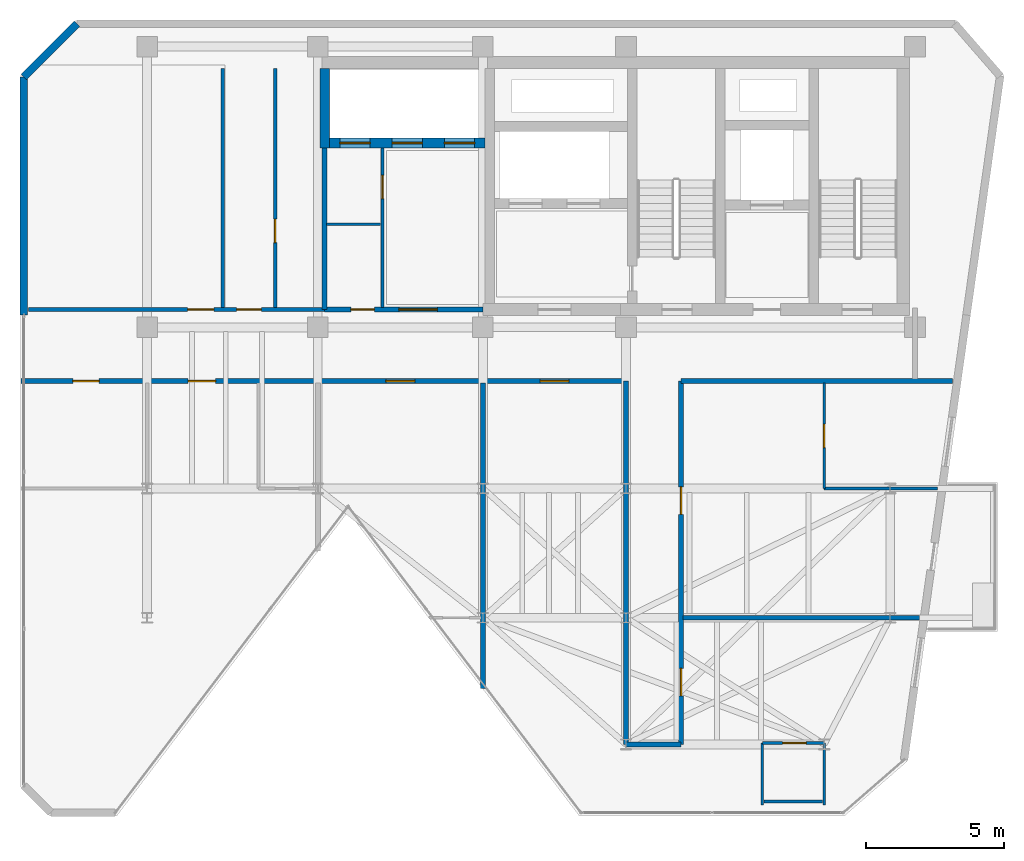
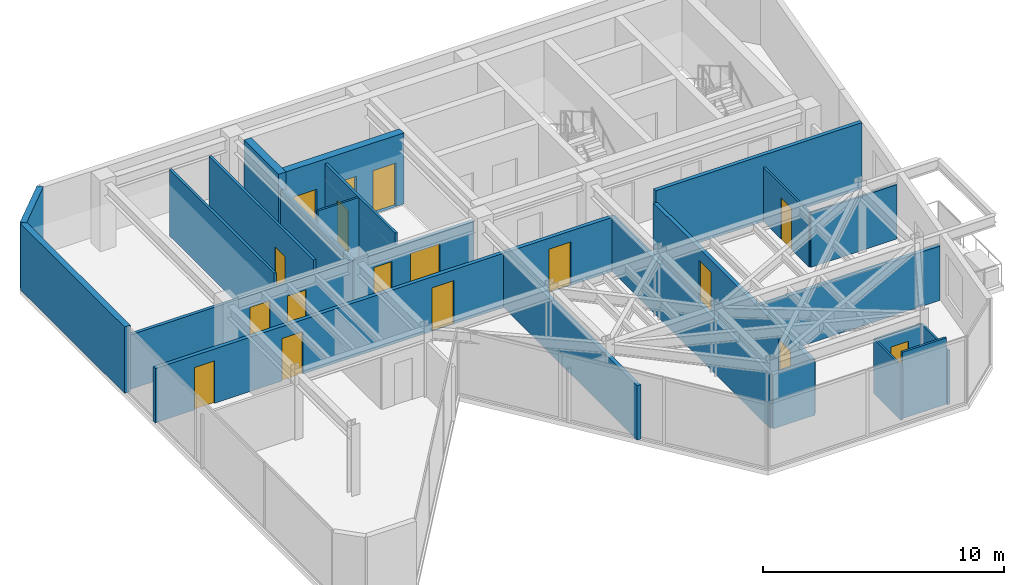
# One storey, part 13 of 16: 24 walls, 17 doors, 17 openings.
"""IFC4 building model written with IfcOpenShell, lengths in metres."""

from ifc_helpers import new_model, si_unit, direction, frame, frame_2d, origin, place, context, subcontext, project, spatial, rectangle, extrude, material, layer, layer_set, type_object, element, fill, save


model = new_model("IFC4")

# Units and contexts
model_context = context("Model", 3, precision=1e-05, world=origin(), true_north=direction((0.0, 1.0)))
body_context = subcontext(model_context, "Body", "Model", "MODEL_VIEW")
ifc_project = project(units=[si_unit("LENGTHUNIT", "METRE"), si_unit("AREAUNIT", "SQUARE_METRE"), si_unit("VOLUMEUNIT", "CUBIC_METRE"), si_unit("PLANEANGLEUNIT", "RADIAN"), si_unit("MASSUNIT", "GRAM", prefix="KILO")], contexts=[model_context])

# Site, building, storey
site_placement = place(None, origin())
site = spatial("IfcSite", under=ifc_project, at=site_placement, CompositionType="ELEMENT")
building_placement = place(site_placement, origin())
building = spatial("IfcBuilding", under=site, at=building_placement, Name="Kravanh Interchange Tower", CompositionType="ELEMENT")
storey_placement = place(building_placement, frame((0.0, 0.0, 300.300048828125)))
storey = spatial("IfcBuildingStorey", under=building, at=storey_placement, Name="L74", CompositionType="ELEMENT", Elevation=300.300048828125)

# Wall, opening, door
ifc_material_1 = material(Name="Double Acoustic Gypsum Board and Mineral Wool")
ifc_layer_1 = layer(ifc_material_1, 0.1201171875)
ifc_layer_set_1 = layer_set([ifc_layer_1], Name="Acoustic Office Drywall Partition 120mm")
wall_type_1 = type_object("IfcWallType", Name="Acoustic Office Drywall Partition 120mm", PredefinedType="PARTITIONING", material=ifc_layer_set_1)
wall_1_placement = place(storey_placement, frame((47.14990234375, 38.068115234375, 0.0), z_axis=(0.0, 0.0, 1.0), x_axis=(0.0, 1.0, 0.0)))
wall_1 = element("IfcWall", 1, at=wall_1_placement, inside=storey, type_object=wall_type_1, Name="L74 Interior Partition 2", PredefinedType="PARTITIONING", context=body_context, shape_type="SweptSolid", body=[
    extrude(rectangle(XDim=5.798828125, YDim=0.1201171875, at=frame_2d((2.8994140625, 0.0))), origin(), (0.0, 0.0, 1.0), 3.364990234375),
])
opening_1_placement = place(wall_1_placement, frame((3.95703125, 0.0, 0.0)))
opening_1 = element("IfcOpeningElement", 2, at=opening_1_placement, cuts=wall_1, Name="Opening D-85", PredefinedType="OPENING", context=body_context, shape_type="SweptSolid", body=[
    extrude(rectangle(XDim=0.85009765625, YDim=2.10009765625, at=frame_2d((0.425048828125, 1.050048828125))), frame((0.0, 0.070068359375, 0.0), z_axis=(0.0, -1.0, 0.0), x_axis=(1.0, 0.0, 0.0)), (0.0, 0.0, 1.0), 0.14013671875),
])
ifc_material_2 = material(Name="Engineered Teak Veneer Timber", Category="wood")
door_type_1 = type_object("IfcDoorType", Name="En-Suite Timber Door 850x2100", OperationType="NOTDEFINED", PredefinedType="DOOR", material=ifc_material_2)
door_1_placement = place(opening_1_placement, origin())
door_1 = element("IfcDoor", 3, at=door_1_placement, inside=storey, type_object=door_type_1, Name="L74 Core Valet Store Door", OperationType="SINGLE_SWING_RIGHT", OverallHeight=2.10009765625, OverallWidth=0.85009765625, PredefinedType="DOOR", context=body_context, shape_type="SweptSolid", body=[
    extrude(rectangle(XDim=0.85009765625, YDim=2.10009765625, at=frame_2d((0.425048828125, 1.050048828125))), frame((0.0, 0.02490234375, 0.0), z_axis=(0.0, -1.0, 0.0), x_axis=(1.0, 0.0, 0.0)), (0.0, 0.0, 1.0), 0.050048828125),
])
fill(opening_1, door_1)

# Wall
wall_2_placement = place(storey_placement, frame((41.35009765625, 38.068115234375, 0.0), z_axis=(0.0, 0.0, 1.0), x_axis=(0.0, 1.0, 0.0)))
element("IfcWall", 4, at=wall_2_placement, inside=storey, type_object=wall_type_1, Name="L74 Interior Partition 7", PredefinedType="PARTITIONING", context=body_context, shape_type="SweptSolid", body=[
    extrude(rectangle(XDim=8.681884765625, YDim=0.1201171875, at=frame_2d((4.3408203125, 0.0))), origin(), (0.0, 0.0, 1.0), 3.364990234375),
])

# Wall, opening, door
wall_3_placement = place(storey_placement, frame((43.25, 38.068115234375, 0.0), z_axis=(0.0, 0.0, 1.0), x_axis=(0.0, 1.0, 0.0)))
wall_3 = element("IfcWall", 5, at=wall_3_placement, inside=storey, type_object=wall_type_1, Name="L74 Interior Partition 8", PredefinedType="PARTITIONING", context=body_context, shape_type="SweptSolid", body=[
    extrude(rectangle(XDim=8.681884765625, YDim=0.1201171875, at=frame_2d((4.3408203125, 0.0))), origin(), (0.0, 0.0, 1.0), 3.364990234375),
])
opening_2_placement = place(wall_3_placement, frame((2.365966796875, 0.0, 0.0)))
opening_2 = element("IfcOpeningElement", 6, at=opening_2_placement, cuts=wall_3, Name="Opening D-85", PredefinedType="OPENING", context=body_context, shape_type="SweptSolid", body=[
    extrude(rectangle(XDim=0.85009765625, YDim=2.10009765625, at=frame_2d((0.425048828125, 1.050048828125))), frame((0.0, 0.070068359375, 0.0), z_axis=(0.0, -1.0, 0.0), x_axis=(1.0, 0.0, 0.0)), (0.0, 0.0, 1.0), 0.14013671875),
])
door_2_placement = place(opening_2_placement, origin())
door_2 = element("IfcDoor", 7, at=door_2_placement, inside=storey, type_object=door_type_1, Name="L74 Pantry Store Inner Door", OperationType="SINGLE_SWING_LEFT", OverallHeight=2.10009765625, OverallWidth=0.85009765625, PredefinedType="DOOR", context=body_context, shape_type="SweptSolid", body=[
    extrude(rectangle(XDim=0.85009765625, YDim=2.10009765625, at=frame_2d((0.425048828125, 1.050048828125))), frame((0.0, 0.02490234375, 0.0), z_axis=(0.0, -1.0, 0.0), x_axis=(1.0, 0.0, 0.0)), (0.0, 0.0, 1.0), 0.050048828125),
])
fill(opening_2, door_2)

# Wall, openings, doors
ifc_material_3 = material(Name="Concrete C60/75", Category="concrete")
ifc_layer_2 = layer(ifc_material_3, 0.35009765625)
ifc_layer_set_2 = layer_set([ifc_layer_2], Name="Core Shear Wall Concrete C60/75 350mm")
wall_type_2 = type_object("IfcWallType", Name="Core Shear Wall Concrete C60/75 350mm", PredefinedType="SHEAR", material=ifc_layer_set_2)
wall_4_placement = place(storey_placement, frame((45.22509765625, 44.050048828125, 0.0), z_axis=(0.0, 0.0, 1.0), x_axis=(1.0, 0.0, 0.0)))
wall_4 = element("IfcWall", 8, at=wall_4_placement, inside=storey, type_object=wall_type_2, Name="L74 High-Rise Lift Shaft South Wall", PredefinedType="SHEAR", context=body_context, shape_type="SweptSolid", body=[
    extrude(rectangle(XDim=5.64990234375, YDim=0.35009765625, at=frame_2d((2.824951171875, 0.0))), origin(), (0.0, 0.0, 1.0), 3.599853515625),
])
opening_3_placement = place(wall_4_placement, frame((0.375, 0.0, 0.0)))
opening_3 = element("IfcOpeningElement", 9, at=opening_3_placement, cuts=wall_4, Name="Opening LD01", PredefinedType="OPENING", context=body_context, shape_type="SweptSolid", body=[
    extrude(rectangle(XDim=1.10009765625, YDim=2.199951171875, at=frame_2d((0.550048828125, 1.10009765625))), frame((0.0, 0.18505859375, 0.0), z_axis=(0.0, -1.0, 0.0), x_axis=(1.0, 0.0, 0.0)), (0.0, 0.0, 1.0), 0.3701171875),
])
opening_4_placement = place(wall_4_placement, frame((2.27490234375, 0.0, 0.0)))
opening_4 = element("IfcOpeningElement", 10, at=opening_4_placement, cuts=wall_4, Name="Opening LD01", PredefinedType="OPENING", context=body_context, shape_type="SweptSolid", body=[
    extrude(rectangle(XDim=1.10009765625, YDim=2.199951171875, at=frame_2d((0.550048828125, 1.10009765625))), frame((0.0, 0.18505859375, 0.0), z_axis=(0.0, -1.0, 0.0), x_axis=(1.0, 0.0, 0.0)), (0.0, 0.0, 1.0), 0.3701171875),
])
opening_5_placement = place(wall_4_placement, frame((4.175048828125, 0.0, 0.0)))
opening_5 = element("IfcOpeningElement", 11, at=opening_5_placement, cuts=wall_4, Name="Opening LD01", PredefinedType="OPENING", context=body_context, shape_type="SweptSolid", body=[
    extrude(rectangle(XDim=1.10009765625, YDim=2.199951171875, at=frame_2d((0.550048828125, 1.10009765625))), frame((0.0, 0.18505859375, 0.0), z_axis=(0.0, -1.0, 0.0), x_axis=(1.0, 0.0, 0.0)), (0.0, 0.0, 1.0), 0.3701171875),
])
ifc_material_4 = material(Name="Stainless Steel 304", Category="steel")
door_type_2 = type_object("IfcDoorType", Name="Passenger Lift Sliding Landing Door 1100x2200", OperationType="DOUBLE_DOOR_SLIDING", PredefinedType="DOOR", material=ifc_material_4)
door_3_placement = place(opening_3_placement, origin())
door_3 = element("IfcDoor", 12, at=door_3_placement, inside=storey, type_object=door_type_2, Name="L74 Lift LP-H1 Landing Door", OperationType="DOUBLE_DOOR_SLIDING", OverallHeight=2.199951171875, OverallWidth=1.10009765625, PredefinedType="DOOR", context=body_context, shape_type="SweptSolid", body=[
    extrude(rectangle(XDim=1.10009765625, YDim=2.199951171875, at=frame_2d((0.550048828125, 1.10009765625))), frame((0.0, 0.02490234375, 0.0), z_axis=(0.0, -1.0, 0.0), x_axis=(1.0, 0.0, 0.0)), (0.0, 0.0, 1.0), 0.050048828125),
])
fill(opening_3, door_3)
door_4_placement = place(opening_4_placement, origin())
door_4 = element("IfcDoor", 13, at=door_4_placement, inside=storey, type_object=door_type_2, Name="L74 Lift LP-H2 Landing Door", OperationType="DOUBLE_DOOR_SLIDING", OverallHeight=2.199951171875, OverallWidth=1.10009765625, PredefinedType="DOOR", context=body_context, shape_type="SweptSolid", body=[
    extrude(rectangle(XDim=1.10009765625, YDim=2.199951171875, at=frame_2d((0.550048828125, 1.10009765625))), frame((0.0, 0.02490234375, 0.0), z_axis=(0.0, -1.0, 0.0), x_axis=(1.0, 0.0, 0.0)), (0.0, 0.0, 1.0), 0.050048828125),
])
fill(opening_4, door_4)
door_5_placement = place(opening_5_placement, origin())
door_5 = element("IfcDoor", 14, at=door_5_placement, inside=storey, type_object=door_type_2, Name="L74 Lift LP-H3 Landing Door", OperationType="DOUBLE_DOOR_SLIDING", OverallHeight=2.199951171875, OverallWidth=1.10009765625, PredefinedType="DOOR", context=body_context, shape_type="SweptSolid", body=[
    extrude(rectangle(XDim=1.10009765625, YDim=2.199951171875, at=frame_2d((0.550048828125, 1.10009765625))), frame((0.0, 0.02490234375, 0.0), z_axis=(0.0, -1.0, 0.0), x_axis=(1.0, 0.0, 0.0)), (0.0, 0.0, 1.0), 0.050048828125),
])
fill(opening_5, door_5)

# Walls
wall_5_placement = place(storey_placement, frame((45.050048828125, 43.875, 0.0), z_axis=(0.0, 0.0, 1.0), x_axis=(0.0, 1.0, 0.0)))
element("IfcWall", 15, at=wall_5_placement, inside=storey, type_object=wall_type_2, Name="L74 High-Rise Lift Shaft West Wall", PredefinedType="SHEAR", context=body_context, shape_type="SweptSolid", body=[
    extrude(rectangle(XDim=2.875, YDim=0.35009765625, at=frame_2d((1.4375, 0.0))), origin(), (0.0, 0.0, 1.0), 3.599853515625),
])
ifc_material_5 = material(Name="Moisture-Resistant Gypsum Board and Mineral Wool")
ifc_layer_3 = layer(ifc_material_5, 0.10009765625)
ifc_layer_set_3 = layer_set([ifc_layer_3], Name="En-Suite Moisture-Resistant Partition 100mm")
wall_type_3 = type_object("IfcWallType", Name="En-Suite Moisture-Resistant Partition 100mm", PredefinedType="PARTITIONING", material=ifc_layer_set_3)
wall_6_placement = place(storey_placement, frame((45.117919921875, 41.10009765625, 0.0), z_axis=(0.0, 0.0, 1.0), x_axis=(1.0, 0.0, 0.0)))
element("IfcWall", 16, at=wall_6_placement, inside=storey, type_object=wall_type_3, Name="L74 Interior Partition 3", PredefinedType="PARTITIONING", context=body_context, shape_type="SweptSolid", body=[
    extrude(rectangle(XDim=1.964111328125, YDim=0.10009765625, at=frame_2d((0.98193359375, 0.0))), origin(), (0.0, 0.0, 1.0), 3.364990234375),
])

# Wall, opening, door
wall_7_placement = place(storey_placement, frame((60.949951171875, 22.25, 0.0), z_axis=(0.0, 0.0, 1.0), x_axis=(1.0, 0.0, 0.0)))
wall_7 = element("IfcWall", 17, at=wall_7_placement, inside=storey, type_object=wall_type_3, Name="L74 Interior Partition 18", PredefinedType="PARTITIONING", context=body_context, shape_type="SweptSolid", body=[
    extrude(rectangle(XDim=2.25, YDim=0.10009765625, at=frame_2d((1.125, 0.0))), origin(), (0.0, 0.0, 1.0), 2.75390625),
])
opening_6_placement = place(wall_7_placement, frame((0.741455078125, 0.0, 0.0)))
opening_6 = element("IfcOpeningElement", 18, at=opening_6_placement, cuts=wall_7, Name="Opening D-85", PredefinedType="OPENING", context=body_context, shape_type="SweptSolid", body=[
    extrude(rectangle(XDim=0.85009765625, YDim=2.10009765625, at=frame_2d((0.425048828125, 1.050048828125))), frame((0.0, 0.06005859375, 0.0), z_axis=(0.0, -1.0, 0.0), x_axis=(1.0, 0.0, 0.0)), (0.0, 0.0, 1.0), 0.1201171875),
])
door_6_placement = place(opening_6_placement, origin())
door_6 = element("IfcDoor", 19, at=door_6_placement, inside=storey, type_object=door_type_1, Name="L74 En-suite Bathroom Door", OperationType="SINGLE_SWING_RIGHT", OverallHeight=2.10009765625, OverallWidth=0.85009765625, PredefinedType="DOOR", context=body_context, shape_type="SweptSolid", body=[
    extrude(rectangle(XDim=0.85009765625, YDim=2.10009765625, at=frame_2d((0.425048828125, 1.050048828125))), frame((0.0, 0.02490234375, 0.0), z_axis=(0.0, -1.0, 0.0), x_axis=(1.0, 0.0, 0.0)), (0.0, 0.0, 1.0), 0.050048828125),
])
fill(opening_6, door_6)

# Walls
for number, where, z_axis, x_axis, name in (
    (20, (60.949951171875, 20.0, 0.0), (0.0, 0.0, 1.0), (0.0, 1.0, 0.0), "L74 Interior Partition 19"),
    (21, (63.199951171875, 20.0, 0.0), (0.0, 0.0, 1.0), (0.0, 1.0, 0.0), "L74 Interior Partition 20"),
):
    element("IfcWall", number, at=place(storey_placement, frame(where, z_axis=z_axis, x_axis=x_axis)), inside=storey, type_object=wall_type_3, Name=name, PredefinedType="PARTITIONING", context=body_context, shape_type="SweptSolid", body=[
        extrude(rectangle(XDim=2.25, YDim=0.10009765625, at=frame_2d((1.125, 0.0))), origin(), (0.0, 0.0, 1.0), 2.75390625),
    ])
wall_8_placement = place(storey_placement, frame((61.01806640625, 20.1201171875, 0.0), z_axis=(0.0, 0.0, 1.0), x_axis=(1.0, 0.0, 0.0)))
element("IfcWall", 22, at=wall_8_placement, inside=storey, type_object=wall_type_3, Name="L74 Interior Partition 21", PredefinedType="PARTITIONING", context=body_context, shape_type="SweptSolid", body=[
    extrude(rectangle(XDim=2.114013671875, YDim=0.10009765625, at=frame_2d((1.05712890625, 0.0))), origin(), (0.0, 0.0, 1.0), 3.364990234375),
])
wall_9_placement = place(storey_placement, frame((63.199951171875, 31.5, 0.0), z_axis=(0.0, 0.0, 1.0), x_axis=(1.0, 0.0, 0.0)))
element("IfcWall", 23, at=wall_9_placement, inside=storey, type_object=wall_type_3, Name="L74 Interior Partition 22", PredefinedType="PARTITIONING", context=body_context, shape_type="SweptSolid", body=[
    extrude(rectangle(XDim=4.123046875, YDim=0.10009765625, at=frame_2d((2.0615234375, 0.0))), origin(), (0.0, 0.0, 1.0), 2.75390625),
])

# Wall, opening, door
wall_10_placement = place(storey_placement, frame((63.199951171875, 31.5, 0.0), z_axis=(0.0, 0.0, 1.0), x_axis=(0.0, 1.0, 0.0)))
wall_10 = element("IfcWall", 24, at=wall_10_placement, inside=storey, type_object=wall_type_3, Name="L74 Interior Partition 23", PredefinedType="PARTITIONING", context=body_context, shape_type="SweptSolid", body=[
    extrude(rectangle(XDim=3.83203125, YDim=0.10009765625, at=frame_2d((1.916015625, 0.0))), origin(), (0.0, 0.0, 1.0), 2.75390625),
])
opening_7_placement = place(wall_10_placement, frame((1.48486328125, 0.0, 0.0)))
opening_7 = element("IfcOpeningElement", 25, at=opening_7_placement, cuts=wall_10, Name="Opening D-85", PredefinedType="OPENING", context=body_context, shape_type="SweptSolid", body=[
    extrude(rectangle(XDim=0.85009765625, YDim=2.10009765625, at=frame_2d((0.425048828125, 1.050048828125))), frame((0.0, 0.06005859375, 0.0), z_axis=(0.0, -1.0, 0.0), x_axis=(1.0, 0.0, 0.0)), (0.0, 0.0, 1.0), 0.1201171875),
])
door_7_placement = place(opening_7_placement, origin())
door_7 = element("IfcDoor", 26, at=door_7_placement, inside=storey, type_object=door_type_1, Name="L74 En-suite Bathroom Door", OperationType="SINGLE_SWING_RIGHT", OverallHeight=2.10009765625, OverallWidth=0.85009765625, PredefinedType="DOOR", context=body_context, shape_type="SweptSolid", body=[
    extrude(rectangle(XDim=0.85009765625, YDim=2.10009765625, at=frame_2d((0.425048828125, 1.050048828125))), frame((0.0, 0.02490234375, 0.0), z_axis=(0.0, -1.0, 0.0), x_axis=(1.0, 0.0, 0.0)), (0.0, 0.0, 1.0), 0.050048828125),
])
fill(opening_7, door_7)

# Walls
ifc_material_6 = material(Name="Insulated Precast Concrete C40/50 with Bronze Cladding", Category="concrete")
ifc_layer_4 = layer(ifc_material_6, 0.280029296875)
ifc_layer_set_4 = layer_set([ifc_layer_4], Name="Exterior Insulated Concrete C40/50 Bronze Spandrel Wall 280mm")
wall_type_4 = type_object("IfcWallType", Name="Exterior Insulated Concrete C40/50 Bronze Spandrel Wall 280mm", PredefinedType="STANDARD", material=ifc_layer_set_4)
wall_11_placement = place(storey_placement, frame((34.1201171875, 37.800048828125, 0.0), z_axis=(0.0, 0.0, 1.0), x_axis=(0.0, 1.0, 0.0)))
element("IfcWall", 27, at=wall_11_placement, inside=storey, type_object=wall_type_4, Name="L74 Exterior Wall 1", PredefinedType="STANDARD", context=body_context, shape_type="SweptSolid", body=[
    extrude(rectangle(XDim=8.650146484375, YDim=0.280029296875, at=frame_2d((4.3251953125, 0.0))), origin(), (0.0, 0.0, 1.0), 3.364990234375),
])
wall_12_placement = place(storey_placement, frame((34.1201171875, 46.4501953125, 0.0), z_axis=(0.0, 0.0, 1.0), x_axis=(0.707106781187, 0.707106781187, 0.0)))
element("IfcWall", 28, at=wall_12_placement, inside=storey, type_object=wall_type_4, Name="L74 Exterior Wall 2", PredefinedType="STANDARD", context=body_context, shape_type="SweptSolid", body=[
    extrude(rectangle(XDim=2.72900390625, YDim=0.280029296875, at=frame_2d((1.364501953125, 0.0))), origin(), (0.0, 0.0, 1.0), 3.364990234375),
])

# Wall, openings, doors
ifc_material_7 = material(Name="Autoclaved Aerated Concrete C30/37 Blockwork", Category="masonry")
ifc_layer_5 = layer(ifc_material_7, 0.179931640625)
ifc_layer_set_5 = layer_set([ifc_layer_5], Name="Fire-Rated Lobby and Corridor Wall Concrete C30/37 180mm")
wall_type_5 = type_object("IfcWallType", Name="Fire-Rated Lobby and Corridor Wall Concrete C30/37 180mm", PredefinedType="STANDARD", material=ifc_layer_set_5)
wall_13_placement = place(storey_placement, frame((45.050048828125, 38.0, 0.0), z_axis=(0.0, 0.0, 1.0), x_axis=(1.0, 0.0, 0.0)))
wall_13 = element("IfcWall", 29, at=wall_13_placement, inside=storey, type_object=wall_type_5, Name="L74 High-Rise Lift Lobby Wall 1", PredefinedType="STANDARD", context=body_context, shape_type="SweptSolid", body=[
    extrude(rectangle(XDim=5.75, YDim=0.179931640625, at=frame_2d((2.875, 0.0))), origin(), (0.0, 0.0, 1.0), 2.75390625),
])
opening_8_placement = place(wall_13_placement, frame((0.9541015625, 0.0, 0.0)))
opening_8 = element("IfcOpeningElement", 30, at=opening_8_placement, cuts=wall_13, Name="Opening D-85", PredefinedType="OPENING", context=body_context, shape_type="SweptSolid", body=[
    extrude(rectangle(XDim=0.85009765625, YDim=2.10009765625, at=frame_2d((0.425048828125, 1.050048828125))), frame((0.0, 0.10009765625, 0.0), z_axis=(0.0, -1.0, 0.0), x_axis=(1.0, 0.0, 0.0)), (0.0, 0.0, 1.0), 0.199951171875),
])
opening_9_placement = place(wall_13_placement, frame((2.699951171875, 0.0, 0.0)))
opening_9 = element("IfcOpeningElement", 31, at=opening_9_placement, cuts=wall_13, Name="Opening DBL-140", PredefinedType="OPENING", context=body_context, shape_type="SweptSolid", body=[
    extrude(rectangle(XDim=1.39990234375, YDim=2.199951171875, at=frame_2d((0.699951171875, 1.10009765625))), frame((0.0, 0.10009765625, 0.0), z_axis=(0.0, -1.0, 0.0), x_axis=(1.0, 0.0, 0.0)), (0.0, 0.0, 1.0), 0.199951171875),
])
door_8_placement = place(opening_8_placement, origin())
door_8 = element("IfcDoor", 32, at=door_8_placement, inside=storey, type_object=door_type_1, Name="L74 Core Housekeeping Utility Door", OperationType="SINGLE_SWING_LEFT", OverallHeight=2.10009765625, OverallWidth=0.85009765625, PredefinedType="DOOR", context=body_context, shape_type="SweptSolid", body=[
    extrude(rectangle(XDim=0.85009765625, YDim=2.10009765625, at=frame_2d((0.425048828125, 1.050048828125))), frame((0.0, 0.02490234375, 0.0), z_axis=(0.0, -1.0, 0.0), x_axis=(1.0, 0.0, 0.0)), (0.0, 0.0, 1.0), 0.050048828125),
])
fill(opening_8, door_8)
ifc_material_8 = material(Name="Acoustic Bronze-Framed Glass", Category="glass")
door_type_3 = type_object("IfcDoorType", Name="Hospitality Lounge Double Door 1400x2200", OperationType="DOUBLE_DOOR_SINGLE_SWING", PredefinedType="DOOR", material=ifc_material_8)
door_9_placement = place(opening_9_placement, origin())
door_9 = element("IfcDoor", 33, at=door_9_placement, inside=storey, type_object=door_type_3, Name="L74 High-Rise Lift Lobby Door", OperationType="DOUBLE_DOOR_SINGLE_SWING", OverallHeight=2.199951171875, OverallWidth=1.39990234375, PredefinedType="DOOR", context=body_context, shape_type="SweptSolid", body=[
    extrude(rectangle(XDim=1.39990234375, YDim=2.199951171875, at=frame_2d((0.699951171875, 1.10009765625))), frame((0.0, 0.02490234375, 0.0), z_axis=(0.0, -1.0, 0.0), x_axis=(1.0, 0.0, 0.0)), (0.0, 0.0, 1.0), 0.050048828125),
])
fill(opening_9, door_9)

# Wall
wall_14_placement = place(storey_placement, frame((45.050048828125, 38.0, 0.0), z_axis=(0.0, 0.0, 1.0), x_axis=(0.0, 1.0, 0.0)))
element("IfcWall", 34, at=wall_14_placement, inside=storey, type_object=wall_type_5, Name="L74 Interior Partition 4", PredefinedType="STANDARD", context=body_context, shape_type="SweptSolid", body=[
    extrude(rectangle(XDim=5.875, YDim=0.179931640625, at=frame_2d((2.9375, 0.0))), origin(), (0.0, 0.0, 1.0), 2.75390625),
])

# Wall, openings, doors
wall_15_placement = place(storey_placement, frame((34.014892578125, 35.39990234375, 0.0), z_axis=(0.0, 0.0, 1.0), x_axis=(1.0, 0.0, 0.0)))
wall_15 = element("IfcWall", 35, at=wall_15_placement, inside=storey, type_object=wall_type_5, Name="L74 Interior Partition 9", PredefinedType="STANDARD", context=body_context, shape_type="SweptSolid", body=[
    extrude(rectangle(XDim=21.985107421875, YDim=0.179931640625, at=frame_2d((10.99267578125, 0.0))), origin(), (0.0, 0.0, 1.0), 2.75390625),
])
opening_10_placement = place(wall_15_placement, frame((1.889892578125, 0.0, 0.0)))
opening_10 = element("IfcOpeningElement", 36, at=opening_10_placement, cuts=wall_15, Name="Opening D-95", PredefinedType="OPENING", context=body_context, shape_type="SweptSolid", body=[
    extrude(rectangle(XDim=0.949951171875, YDim=2.14990234375, at=frame_2d((0.47509765625, 1.074951171875))), frame((0.0, 0.10009765625, 0.0), z_axis=(0.0, -1.0, 0.0), x_axis=(1.0, 0.0, 0.0)), (0.0, 0.0, 1.0), 0.199951171875),
])
opening_11_placement = place(wall_15_placement, frame((6.06982421875, 0.0, 0.0)))
opening_11 = element("IfcOpeningElement", 37, at=opening_11_placement, cuts=wall_15, Name="Opening D-HOTEL-100", PredefinedType="OPENING", context=body_context, shape_type="SweptSolid", body=[
    extrude(rectangle(XDim=1.0, YDim=2.14990234375, at=frame_2d((0.5, 1.074951171875))), frame((0.0, 0.10009765625, 0.0), z_axis=(0.0, -1.0, 0.0), x_axis=(1.0, 0.0, 0.0)), (0.0, 0.0, 1.0), 0.199951171875),
])
opening_12_placement = place(wall_15_placement, frame((13.260009765625, 0.0, 0.0)))
opening_12 = element("IfcOpeningElement", 38, at=opening_12_placement, cuts=wall_15, Name="Opening D-105", PredefinedType="OPENING", context=body_context, shape_type="SweptSolid", body=[
    extrude(rectangle(XDim=1.050048828125, YDim=2.199951171875, at=frame_2d((0.52490234375, 1.10009765625))), frame((0.0, 0.10009765625, 0.0), z_axis=(0.0, -1.0, 0.0), x_axis=(1.0, 0.0, 0.0)), (0.0, 0.0, 1.0), 0.199951171875),
])
opening_13_placement = place(wall_15_placement, frame((18.860107421875, 0.0, 0.0)))
opening_13 = element("IfcOpeningElement", 39, at=opening_13_placement, cuts=wall_15, Name="Opening D-105", PredefinedType="OPENING", context=body_context, shape_type="SweptSolid", body=[
    extrude(rectangle(XDim=1.050048828125, YDim=2.199951171875, at=frame_2d((0.52490234375, 1.10009765625))), frame((0.0, 0.10009765625, 0.0), z_axis=(0.0, -1.0, 0.0), x_axis=(1.0, 0.0, 0.0)), (0.0, 0.0, 1.0), 0.199951171875),
])
ifc_material_9 = material(Name="Laminate Solid-Core Timber", Category="wood")
door_type_4 = type_object("IfcDoorType", Name="Accessible Restroom Door 950x2150", OperationType="NOTDEFINED", PredefinedType="DOOR", material=ifc_material_9)
door_10_placement = place(opening_10_placement, origin())
door_10 = element("IfcDoor", 40, at=door_10_placement, inside=storey, type_object=door_type_4, Name="L74 Accessible WC Door", OperationType="SINGLE_SWING_RIGHT", OverallHeight=2.14990234375, OverallWidth=0.949951171875, PredefinedType="DOOR", context=body_context, shape_type="SweptSolid", body=[
    extrude(rectangle(XDim=0.949951171875, YDim=2.14990234375, at=frame_2d((0.47509765625, 1.074951171875))), frame((0.0, 0.02490234375, 0.0), z_axis=(0.0, -1.0, 0.0), x_axis=(1.0, 0.0, 0.0)), (0.0, 0.0, 1.0), 0.050048828125),
])
fill(opening_10, door_10)
ifc_material_10 = material(Name="Fire-Rated Solid Timber Leaf", Category="wood")
door_type_5 = type_object("IfcDoorType", Name="Fire-Rated Suite Entrance Door 1000x2150", OperationType="NOTDEFINED", PredefinedType="DOOR", material=ifc_material_10)
door_11_placement = place(opening_11_placement, origin())
door_11 = element("IfcDoor", 41, at=door_11_placement, inside=storey, type_object=door_type_5, Name="L74 Royal Mekong Hotel Suite Entrance Door", OperationType="SINGLE_SWING_LEFT", OverallHeight=2.14990234375, OverallWidth=1.0, PredefinedType="DOOR", context=body_context, shape_type="SweptSolid", body=[
    extrude(rectangle(XDim=1.0, YDim=2.14990234375, at=frame_2d((0.5, 1.074951171875))), frame((0.0, 0.02490234375, 0.0), z_axis=(0.0, -1.0, 0.0), x_axis=(1.0, 0.0, 0.0)), (0.0, 0.0, 1.0), 0.050048828125),
])
fill(opening_11, door_11)
ifc_material_11 = material(Name="Acoustic Glazed Oak and Aluminium", Category="aluminium")
door_type_6 = type_object("IfcDoorType", Name="Office Workplace Door 1050x2200", OperationType="NOTDEFINED", PredefinedType="DOOR", material=ifc_material_11)
door_12_placement = place(opening_12_placement, origin())
door_12 = element("IfcDoor", 42, at=door_12_placement, inside=storey, type_object=door_type_6, Name="L74 Private Boardroom 8A Door", OperationType="SINGLE_SWING_RIGHT", OverallHeight=2.199951171875, OverallWidth=1.050048828125, PredefinedType="DOOR", context=body_context, shape_type="SweptSolid", body=[
    extrude(rectangle(XDim=1.050048828125, YDim=2.199951171875, at=frame_2d((0.52490234375, 1.10009765625))), frame((0.0, 0.02490234375, 0.0), z_axis=(0.0, -1.0, 0.0), x_axis=(1.0, 0.0, 0.0)), (0.0, 0.0, 1.0), 0.050048828125),
])
fill(opening_12, door_12)
door_13_placement = place(opening_13_placement, origin())
door_13 = element("IfcDoor", 43, at=door_13_placement, inside=storey, type_object=door_type_6, Name="L74 Seminar Meeting 8B Door", OperationType="SINGLE_SWING_LEFT", OverallHeight=2.199951171875, OverallWidth=1.050048828125, PredefinedType="DOOR", context=body_context, shape_type="SweptSolid", body=[
    extrude(rectangle(XDim=1.050048828125, YDim=2.199951171875, at=frame_2d((0.52490234375, 1.10009765625))), frame((0.0, 0.02490234375, 0.0), z_axis=(0.0, -1.0, 0.0), x_axis=(1.0, 0.0, 0.0)), (0.0, 0.0, 1.0), 0.050048828125),
])
fill(opening_13, door_13)

# Walls
wall_16_placement = place(storey_placement, frame((58.0, 35.39990234375, 0.0), z_axis=(0.0, 0.0, 1.0), x_axis=(1.0, 0.0, 0.0)))
element("IfcWall", 44, at=wall_16_placement, inside=storey, type_object=wall_type_5, Name="L74 Interior Partition 10", PredefinedType="STANDARD", context=body_context, shape_type="SweptSolid", body=[
    extrude(rectangle(XDim=9.87109375, YDim=0.179931640625, at=frame_2d((4.935546875, 0.0))), origin(), (0.0, 0.0, 1.0), 3.364990234375),
])
wall_17_placement = place(storey_placement, frame((56.0, 22.199951171875, 0.0), z_axis=(0.0, 0.0, 1.0), x_axis=(0.0, 1.0, 0.0)))
element("IfcWall", 45, at=wall_17_placement, inside=storey, type_object=wall_type_5, Name="L74 Interior Partition 12", PredefinedType="STANDARD", context=body_context, shape_type="SweptSolid", body=[
    extrude(rectangle(XDim=13.199951171875, YDim=0.179931640625, at=frame_2d((6.60009765625, 0.0))), origin(), (0.0, 0.0, 1.0), 2.75390625),
])

# Wall, openings, doors
wall_18_placement = place(storey_placement, frame((58.0, 22.199951171875, 0.0), z_axis=(0.0, 0.0, 1.0), x_axis=(0.0, 1.0, 0.0)))
wall_18 = element("IfcWall", 46, at=wall_18_placement, inside=storey, type_object=wall_type_5, Name="L74 Interior Partition 13", PredefinedType="STANDARD", context=body_context, shape_type="SweptSolid", body=[
    extrude(rectangle(XDim=13.199951171875, YDim=0.179931640625, at=frame_2d((6.60009765625, 0.0))), origin(), (0.0, 0.0, 1.0), 2.75390625),
])
opening_14_placement = place(wall_18_placement, frame((1.759521484375, 0.0, 0.0)))
opening_14 = element("IfcOpeningElement", 47, at=opening_14_placement, cuts=wall_18, Name="Opening D-HOTEL-100", PredefinedType="OPENING", context=body_context, shape_type="SweptSolid", body=[
    extrude(rectangle(XDim=1.0, YDim=2.14990234375, at=frame_2d((0.5, 1.074951171875))), frame((0.0, 0.10009765625, 0.0), z_axis=(0.0, -1.0, 0.0), x_axis=(1.0, 0.0, 0.0)), (0.0, 0.0, 1.0), 0.199951171875),
])
opening_15_placement = place(wall_18_placement, frame((8.35986328125, 0.0, 0.0)))
opening_15 = element("IfcOpeningElement", 48, at=opening_15_placement, cuts=wall_18, Name="Opening D-HOTEL-100", PredefinedType="OPENING", context=body_context, shape_type="SweptSolid", body=[
    extrude(rectangle(XDim=1.0, YDim=2.14990234375, at=frame_2d((0.5, 1.074951171875))), frame((0.0, 0.10009765625, 0.0), z_axis=(0.0, -1.0, 0.0), x_axis=(1.0, 0.0, 0.0)), (0.0, 0.0, 1.0), 0.199951171875),
])
door_14_placement = place(opening_14_placement, origin())
door_14 = element("IfcDoor", 49, at=door_14_placement, inside=storey, type_object=door_type_5, Name="L74 Corner Panorama Hotel Suite Entrance Door", OperationType="SINGLE_SWING_LEFT", OverallHeight=2.14990234375, OverallWidth=1.0, PredefinedType="DOOR", context=body_context, shape_type="SweptSolid", body=[
    extrude(rectangle(XDim=1.0, YDim=2.14990234375, at=frame_2d((0.5, 1.074951171875))), frame((0.0, 0.02490234375, 0.0), z_axis=(0.0, -1.0, 0.0), x_axis=(1.0, 0.0, 0.0)), (0.0, 0.0, 1.0), 0.050048828125),
])
fill(opening_14, door_14)
door_15_placement = place(opening_15_placement, origin())
door_15 = element("IfcDoor", 50, at=door_15_placement, inside=storey, type_object=door_type_5, Name="L74 Hotel Guest Room East Entrance Door", OperationType="SINGLE_SWING_LEFT", OverallHeight=2.14990234375, OverallWidth=1.0, PredefinedType="DOOR", context=body_context, shape_type="SweptSolid", body=[
    extrude(rectangle(XDim=1.0, YDim=2.14990234375, at=frame_2d((0.5, 1.074951171875))), frame((0.0, 0.02490234375, 0.0), z_axis=(0.0, -1.0, 0.0), x_axis=(1.0, 0.0, 0.0)), (0.0, 0.0, 1.0), 0.050048828125),
])
fill(opening_15, door_15)

# Walls
wall_19_placement = place(storey_placement, frame((56.0, 22.199951171875, 0.0), z_axis=(0.0, 0.0, 1.0), x_axis=(1.0, 0.0, 0.0)))
element("IfcWall", 51, at=wall_19_placement, inside=storey, type_object=wall_type_5, Name="L74 Interior Partition 14", PredefinedType="STANDARD", context=body_context, shape_type="SweptSolid", body=[
    extrude(rectangle(XDim=2.0, YDim=0.179931640625, at=frame_2d((1.0, 0.0))), origin(), (0.0, 0.0, 1.0), 2.75390625),
])
wall_20_placement = place(storey_placement, frame((58.068115234375, 26.800048828125, 0.0), z_axis=(0.0, 0.0, 1.0), x_axis=(1.0, 0.0, 0.0)))
element("IfcWall", 52, at=wall_20_placement, inside=storey, type_object=wall_type_5, Name="L74 Interior Partition 17", PredefinedType="STANDARD", context=body_context, shape_type="SweptSolid", body=[
    extrude(rectangle(XDim=8.594482421875, YDim=0.179931640625, at=frame_2d((4.29736328125, 0.0))), origin(), (0.0, 0.0, 1.0), 2.75390625),
])
wall_21_placement = place(storey_placement, frame((50.800048828125, 24.22998046875, 0.0), z_axis=(0.0, 0.0, 1.0), x_axis=(0.0, 1.0, 0.0)))
element("IfcWall", 53, at=wall_21_placement, inside=storey, type_object=wall_type_5, Name="L74 Interior Partition 28", PredefinedType="STANDARD", context=body_context, shape_type="SweptSolid", body=[
    extrude(rectangle(XDim=11.10205078125, YDim=0.179931640625, at=frame_2d((5.551025390625, 0.0))), origin(), (0.0, 0.0, 1.0), 2.75390625),
])

# Wall, openings, doors
ifc_material_12 = material(Name="Twin Stud Acoustic Gypsum Board Wall")
ifc_layer_6 = layer(ifc_material_12, 0.14990234375)
ifc_layer_set_6 = layer_set([ifc_layer_6], Name="Medium-Duty Acoustic Partition 150mm")
wall_type_6 = type_object("IfcWallType", Name="Medium-Duty Acoustic Partition 150mm", PredefinedType="PARTITIONING", material=ifc_layer_set_6)
wall_22_placement = place(storey_placement, frame((34.284912109375, 38.0, 0.0), z_axis=(0.0, 0.0, 1.0), x_axis=(1.0, 0.0, 0.0)))
wall_22 = element("IfcWall", 54, at=wall_22_placement, inside=storey, type_object=wall_type_6, Name="L74 Interior Partition 5", PredefinedType="PARTITIONING", context=body_context, shape_type="SweptSolid", body=[
    extrude(rectangle(XDim=10.76513671875, YDim=0.14990234375, at=frame_2d((5.382568359375, 0.0))), origin(), (0.0, 0.0, 1.0), 2.75390625),
])
opening_16_placement = place(wall_22_placement, frame((5.7900390625, 0.0, 0.0)))
opening_16 = element("IfcOpeningElement", 55, at=opening_16_placement, cuts=wall_22, Name="Opening D-95", PredefinedType="OPENING", context=body_context, shape_type="SweptSolid", body=[
    extrude(rectangle(XDim=0.949951171875, YDim=2.14990234375, at=frame_2d((0.47509765625, 1.074951171875))), frame((0.0, 0.0849609375, 0.0), z_axis=(0.0, -1.0, 0.0), x_axis=(1.0, 0.0, 0.0)), (0.0, 0.0, 1.0), 0.169921875),
])
opening_17_placement = place(wall_22_placement, frame((7.56494140625, 0.0, 0.0)))
opening_17 = element("IfcOpeningElement", 56, at=opening_17_placement, cuts=wall_22, Name="Opening D-90", PredefinedType="OPENING", context=body_context, shape_type="SweptSolid", body=[
    extrude(rectangle(XDim=0.89990234375, YDim=2.10009765625, at=frame_2d((0.449951171875, 1.050048828125))), frame((0.0, 0.0849609375, 0.0), z_axis=(0.0, -1.0, 0.0), x_axis=(1.0, 0.0, 0.0)), (0.0, 0.0, 1.0), 0.169921875),
])
door_16_placement = place(opening_16_placement, origin())
door_16 = element("IfcDoor", 57, at=door_16_placement, inside=storey, type_object=door_type_4, Name="L74 North Library Lounge Door", OperationType="SINGLE_SWING_LEFT", OverallHeight=2.14990234375, OverallWidth=0.949951171875, PredefinedType="DOOR", context=body_context, shape_type="SweptSolid", body=[
    extrude(rectangle(XDim=0.949951171875, YDim=2.14990234375, at=frame_2d((0.47509765625, 1.074951171875))), frame((0.0, 0.02490234375, 0.0), z_axis=(0.0, -1.0, 0.0), x_axis=(1.0, 0.0, 0.0)), (0.0, 0.0, 1.0), 0.050048828125),
])
fill(opening_16, door_16)
ifc_material_13 = material(Name="Painted Solid-Core Timber", Category="wood")
door_type_7 = type_object("IfcDoorType", Name="Service Room Door 900x2100", OperationType="NOTDEFINED", PredefinedType="DOOR", material=ifc_material_13)
door_17_placement = place(opening_17_placement, origin())
door_17 = element("IfcDoor", 58, at=door_17_placement, inside=storey, type_object=door_type_7, Name="L74 Housekeeping Room Door", OperationType="SINGLE_SWING_RIGHT", OverallHeight=2.10009765625, OverallWidth=0.89990234375, PredefinedType="DOOR", context=body_context, shape_type="SweptSolid", body=[
    extrude(rectangle(XDim=0.89990234375, YDim=2.10009765625, at=frame_2d((0.449951171875, 1.050048828125))), frame((0.0, 0.02490234375, 0.0), z_axis=(0.0, -1.0, 0.0), x_axis=(1.0, 0.0, 0.0)), (0.0, 0.0, 1.0), 0.050048828125),
])
fill(opening_17, door_17)

save(model, "model.ifc")
